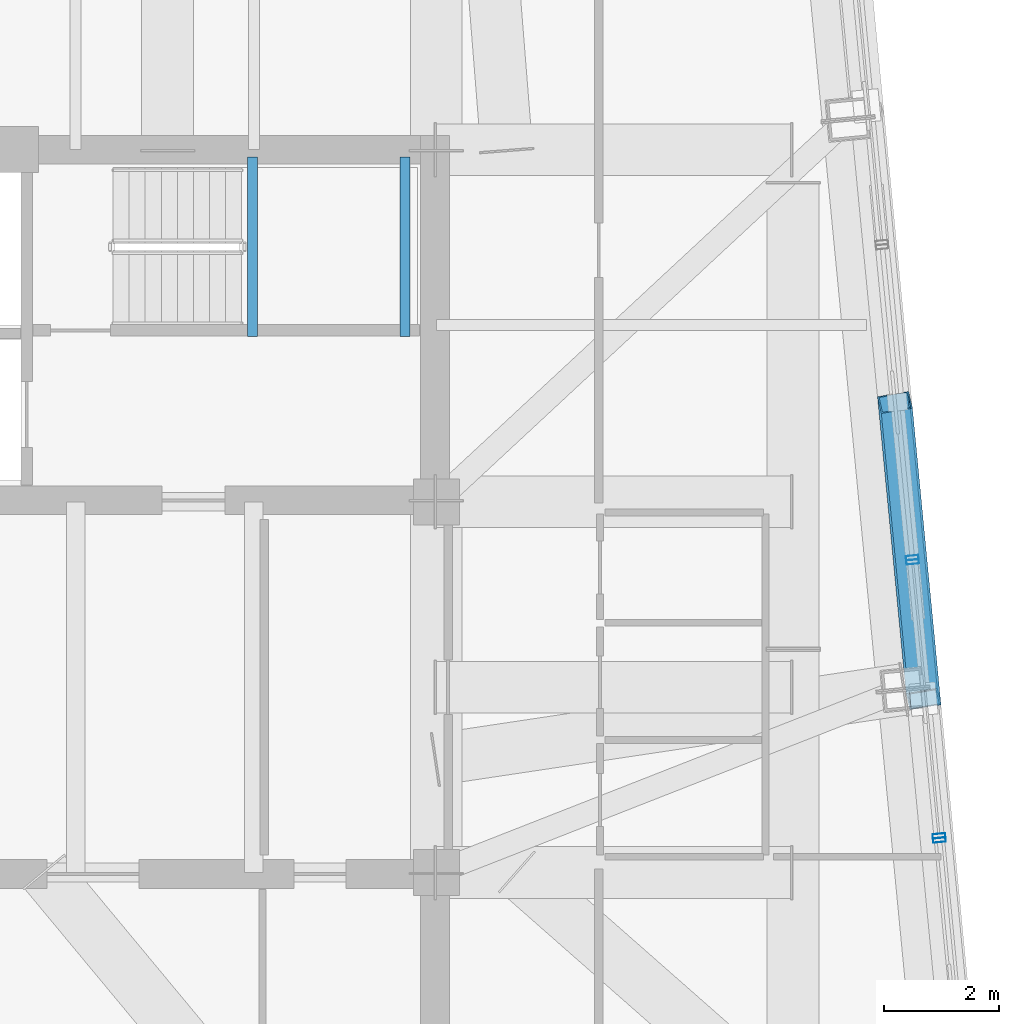
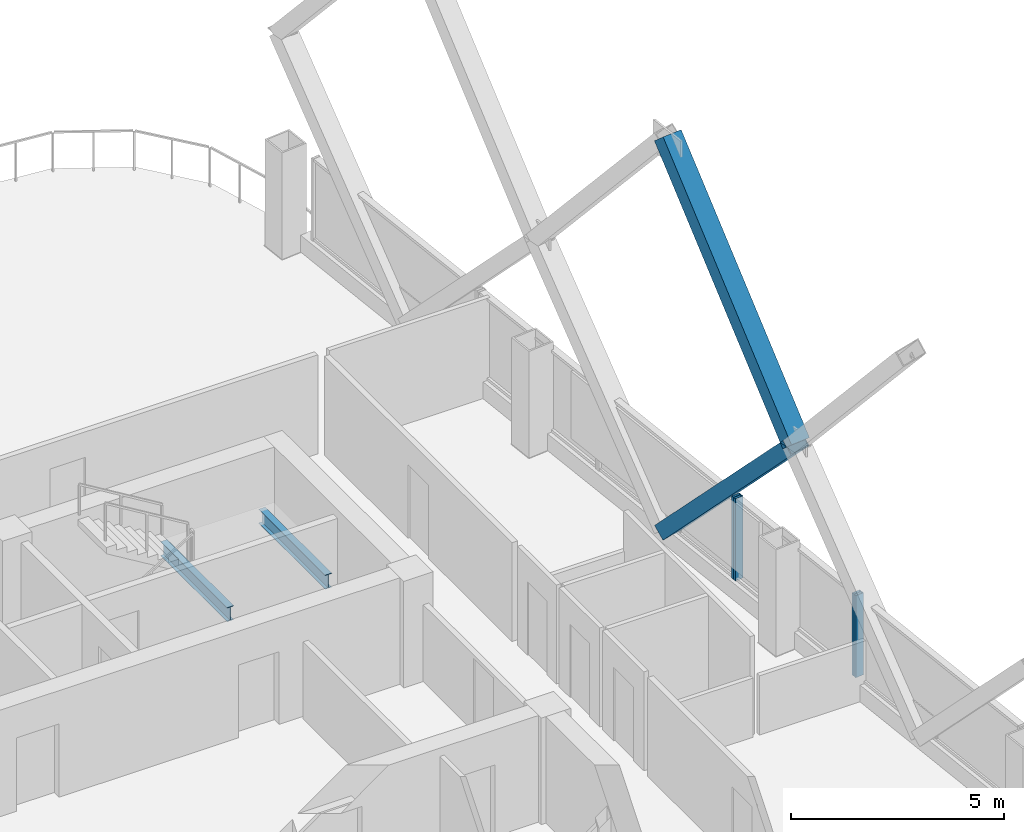
# One storey, part 17 of 37: 6 members, 2 beams, 3 elements without a shape of their own.
"""IFC4 building model written with IfcOpenShell, lengths in metres."""

from ifc_helpers import new_model, si_unit, direction, frame, origin, origin_2d, place, context, subcontext, project, spatial, hollow_rectangle, i_section, extrude, material, layer, layer_set, material_profile, profile_set, type_object, element, aggregate, save


model = new_model("IFC4")

# Units and contexts
model_context = context("Model", 3, precision=1e-05, world=origin(), true_north=direction((0.0, 1.0)))
body_context = subcontext(model_context, "Body", "Model", "MODEL_VIEW")
ifc_project = project(units=[si_unit("LENGTHUNIT", "METRE"), si_unit("AREAUNIT", "SQUARE_METRE"), si_unit("VOLUMEUNIT", "CUBIC_METRE"), si_unit("PLANEANGLEUNIT", "RADIAN"), si_unit("MASSUNIT", "GRAM", prefix="KILO")], contexts=[model_context])

# Site, building, storey
site_placement = place(None, origin())
site = spatial("IfcSite", under=ifc_project, at=site_placement, CompositionType="ELEMENT")
building_placement = place(site_placement, origin())
building = spatial("IfcBuilding", under=site, at=building_placement, Name="Qhalaya Broadcast Tower", CompositionType="ELEMENT")
storey_placement = place(building_placement, frame((0.0, 0.0, 156.14990234375)))
storey = spatial("IfcBuildingStorey", under=building, at=storey_placement, Name="L45", CompositionType="ELEMENT", Elevation=156.14990234375)

# Members
ifc_material_1 = material(Name="Structural Steel ASTM A572 Grade 50", Category="steel")
ifc_material_profile_1 = material_profile(ifc_material_1, hollow_rectangle(XDim=0.39990234375, YDim=0.550048828125, WallThickness=0.02490234375, at=origin_2d()), Name="BOX 400x550x25")
ifc_profile_set_1 = profile_set([ifc_material_profile_1], Name="Structural Steel ASTM A572 Grade 50")
member_type_1 = type_object("IfcMemberType", Name="Exoskeleton Diamond Diagonal Mid-High EX3", PredefinedType="BRACE", material=ifc_profile_set_1)
member_1_placement = place(storey_placement, frame((17.353515625, 5.5517578125, 0.360107421875), z_axis=(0.066471790064, -0.690633401879, 0.720143739356), x_axis=(-0.164080506111, 0.704348539744, 0.690630669805)))
element("IfcMember", 1, at=member_1_placement, inside=storey, type_object=member_type_1, Name="B4 Exoskeleton Diamond Brace E2-D1", PredefinedType="BRACE", context=body_context, shape_type="SweptSolid", body=[
    extrude(hollow_rectangle(XDim=0.39990234375, YDim=0.550048828125, WallThickness=0.02490234375, at=origin_2d()), origin(), (0.0, 0.0, 1.0), 7.470458984375),
])
member_2_placement = place(storey_placement, frame((17.85009765625, 0.392333984375, 5.739990234375), z_axis=(-0.063473153323, 0.659477949445, 0.749039380142), x_axis=(0.166836103717, -0.732978846634, 0.659475340619)))
element("IfcMember", 2, at=member_2_placement, inside=storey, type_object=member_type_1, Name="B4 Exoskeleton Diamond Brace E2-D3", PredefinedType="BRACE", context=body_context, shape_type="SweptSolid", body=[
    extrude(hollow_rectangle(XDim=0.39990234375, YDim=0.550048828125, WallThickness=0.02490234375, at=origin_2d()), origin(), (0.0, 0.0, 1.0), 7.823486328125),
])

# Curtain wall, member
ifc_material_2 = material(Name="Fired Architectural Terracotta", Category="masonry")
ifc_layer_1 = layer(ifc_material_2, 0.219970703125, Name="Fired Architectural Terracotta")
ifc_layer_set_1 = layer_set([ifc_layer_1], Name="Fired Architectural Terracotta")
curtain_wall_type_1 = type_object("IfcCurtainWallType", Name="Block-Cap Unitised Terracotta Spandrel Wall CW-07", PredefinedType="NOTDEFINED", material=ifc_layer_set_1)
curtain_wall_1_placement = place(storey_placement, origin())
curtain_wall_1 = element("IfcCurtainWall", 3, at=curtain_wall_1_placement, inside=storey, type_object=curtain_wall_type_1, Name="L45 Unitised Curtain Wall L45-CW-E1", PredefinedType="NOTDEFINED")
ifc_material_3 = material(Name="Anodised Aluminium 6063-T6", Category="aluminium")
ifc_material_profile_2 = material_profile(ifc_material_3, hollow_rectangle(XDim=0.074951171875, YDim=0.219970703125, WallThickness=0.00390625, at=origin_2d()), Name="ALU-MUL 75x220x4")
ifc_profile_set_2 = profile_set([ifc_material_profile_2], Name="Anodised Aluminium 6063-T6")
member_type_2 = type_object("IfcMemberType", Name="Unitised Curtain-Wall Mullion M01", PredefinedType="MULLION", material=ifc_profile_set_2)
member_3_placement = place(storey_placement, frame((18.126708984375, -2.060546875, 0.47998046875), z_axis=(0.0, 0.0, 1.0), x_axis=(-0.095842362816, 0.995396524753, 0.0)))
member_3 = element("IfcMember", 4, at=member_3_placement, type_object=member_type_2, Name="CW-07 mullion 2", PredefinedType="MULLION", context=body_context, shape_type="SweptSolid", body=[
    extrude(hollow_rectangle(XDim=0.074951171875, YDim=0.219970703125, WallThickness=0.00390625, at=origin_2d()), origin(), (0.0, 0.0, 1.0), 2.35009765625),
])
aggregate(curtain_wall_1, [member_3])

# Curtain wall, members
ifc_material_4 = material(Name="Solar-Control Low-E Triple Glazing", Category="glass")
ifc_layer_2 = layer(ifc_material_4, 0.219970703125, Name="Solar-Control Low-E Triple Glazing")
ifc_layer_set_2 = layer_set([ifc_layer_2], Name="Solar-Control Low-E Triple Glazing")
curtain_wall_type_2 = type_object("IfcCurtainWallType", Name="Even-Block 4-Storey Double-Module Curtain Wall CW-03", PredefinedType="NOTDEFINED", material=ifc_layer_set_2)
curtain_wall_2_placement = place(storey_placement, origin())
curtain_wall_2 = element("IfcCurtainWall", 5, at=curtain_wall_2_placement, inside=storey, type_object=curtain_wall_type_2, Name="L45 Unitised Curtain Wall L45-CW-E2", PredefinedType="NOTDEFINED")
member_4_placement = place(storey_placement, frame((18.119384765625, -1.986083984375, 0.47998046875), z_axis=(0.0, 0.0, 1.0), x_axis=(-0.095844898762, 0.995396280574, 0.0)))
member_4 = element("IfcMember", 6, at=member_4_placement, type_object=member_type_2, Name="CW-03 mullion 1", PredefinedType="MULLION", context=body_context, shape_type="SweptSolid", body=[
    extrude(hollow_rectangle(XDim=0.074951171875, YDim=0.219970703125, WallThickness=0.00390625, at=origin_2d()), origin(), (0.0, 0.0, 1.0), 2.35009765625),
])
member_5_placement = place(storey_placement, frame((17.66064453125, 2.778076171875, 0.47998046875), z_axis=(0.0, 0.0, 1.0), x_axis=(-0.095844898762, 0.995396280574, 0.0)))
member_5 = element("IfcMember", 7, at=member_5_placement, type_object=member_type_2, Name="CW-03 mullion 2", PredefinedType="MULLION", context=body_context, shape_type="SweptSolid", body=[
    extrude(hollow_rectangle(XDim=0.074951171875, YDim=0.219970703125, WallThickness=0.00390625, at=origin_2d()), origin(), (0.0, 0.0, 1.0), 2.35009765625),
])
aggregate(curtain_wall_2, [member_4, member_5])

# Curtain wall, member
curtain_wall_3_placement = place(storey_placement, origin())
curtain_wall_3 = element("IfcCurtainWall", 8, at=curtain_wall_3_placement, inside=storey, type_object=curtain_wall_type_1, Name="L45 Unitised Curtain Wall L45-CW-E3", PredefinedType="NOTDEFINED")
member_6_placement = place(storey_placement, frame((17.653564453125, 2.8525390625, 0.47998046875), z_axis=(0.0, 0.0, 1.0), x_axis=(-0.095858099514, 0.99539500941, 0.0)))
member_6 = element("IfcMember", 9, at=member_6_placement, type_object=member_type_2, Name="CW-07 mullion 1", PredefinedType="MULLION", context=body_context, shape_type="SweptSolid", body=[
    extrude(hollow_rectangle(XDim=0.074951171875, YDim=0.219970703125, WallThickness=0.00390625, at=origin_2d()), origin(), (0.0, 0.0, 1.0), 2.35009765625),
])
aggregate(curtain_wall_3, [member_6])

# Beams
ifc_material_5 = material(Name="Structural Steel ASTM A992 Grade 50", Category="steel")
ifc_material_profile_3 = material_profile(ifc_material_5, i_section(OverallWidth=0.177978515625, OverallDepth=0.406005859375, WebThickness=0.0078125, FlangeThickness=0.0126953125, at=origin_2d()), Name="W16X40")
ifc_profile_set_3 = profile_set([ifc_material_profile_3], Name="Structural Steel ASTM A992 Grade 50")
beam_type = type_object("IfcBeamType", Name="Upper Perimeter Spandrel Beam SP2", PredefinedType="SPANDREL", material=ifc_profile_set_3)
for number, where, z_axis, x_axis, name in (
    (10, (6.175048828125, 6.699951171875, 1.1220703125), (0.0, 1.0, 0.0), (-1.0, 0.0, 0.0), "L45 ST-1 Half-Landing Bearer Beam 1"),
    (11, (8.830078125, 6.699951171875, 1.1220703125), (0.0, 1.0, 0.0), (-1.0, 0.0, 0.0), "L45 ST-1 Half-Landing Bearer Beam 2"),
):
    element("IfcBeam", number, at=place(storey_placement, frame(where, z_axis=z_axis, x_axis=x_axis)), inside=storey, type_object=beam_type, Name=name, PredefinedType="SPANDREL", context=body_context, shape_type="SweptSolid", body=[
        extrude(i_section(OverallWidth=0.177978515625, OverallDepth=0.406005859375, WebThickness=0.0078125, FlangeThickness=0.0126953125, at=origin_2d()), origin(), (0.0, 0.0, 1.0), 3.1201171875),
    ])

save(model, "model.ifc")
